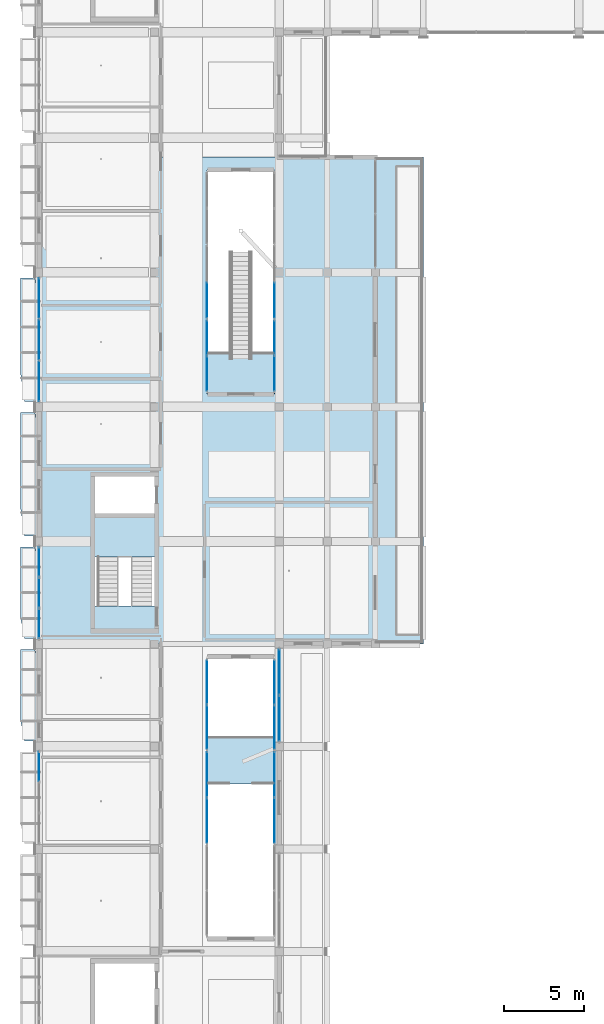
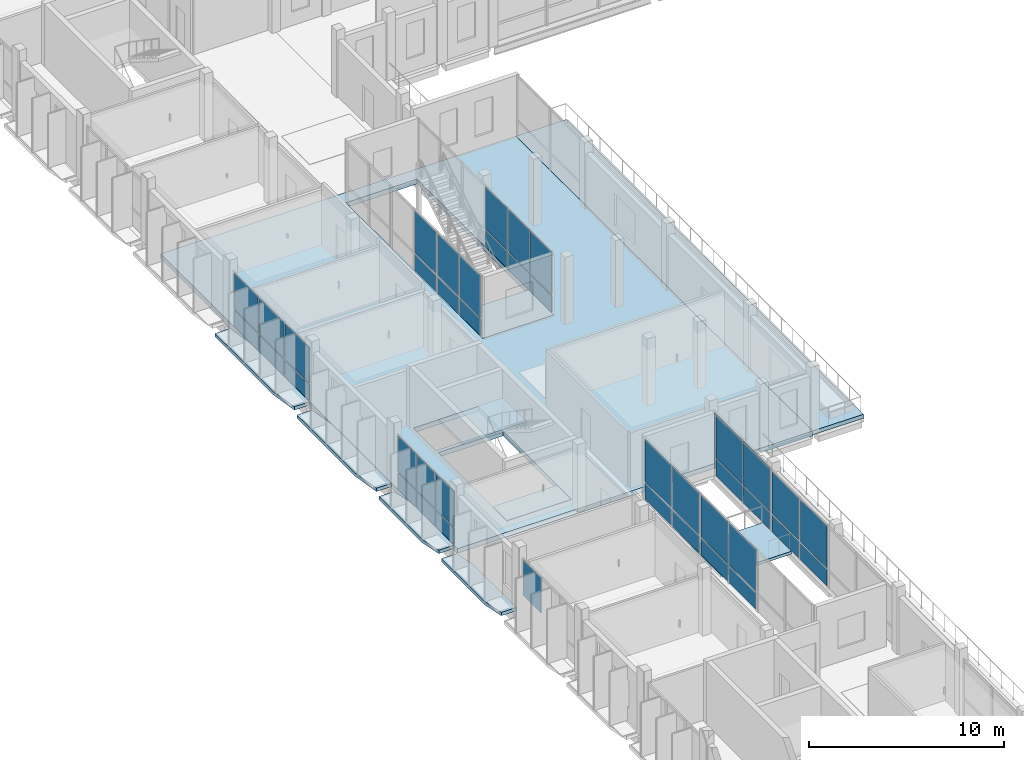
# One storey, part 30 of 85: 45 plates, 10 slabs, 13 elements without a shape of their own.
"""IFC4 building model written with IfcOpenShell, lengths in metres."""

from ifc_helpers import new_model, si_unit, derived_unit, direction, frame, origin, origin_2d, place, context, subcontext, project, spatial, polyline, rectangle, outline, extrude, material, layer, layer_set, type_object, element, aggregate, save


model = new_model("IFC4")

# Units and contexts
model_context = context("Model", 3, precision=1e-05, world=origin(), true_north=direction((0.0, 1.0)))
body_context = subcontext(model_context, "Body", "Model", "MODEL_VIEW")
ifc_project = project(units=[si_unit("LENGTHUNIT", "METRE"), si_unit("AREAUNIT", "SQUARE_METRE"), si_unit("VOLUMEUNIT", "CUBIC_METRE"), si_unit("PLANEANGLEUNIT", "RADIAN"), si_unit("MASSUNIT", "GRAM", prefix="KILO"), derived_unit("THERMALTRANSMITTANCEUNIT", [(si_unit("POWERUNIT", "WATT"), 1), (si_unit("LENGTHUNIT", "METRE"), -2), (si_unit("THERMODYNAMICTEMPERATUREUNIT", "KELVIN"), -1)])], contexts=[model_context])

# Site, building, storey
site_placement = place(None, origin())
site = spatial("IfcSite", under=ifc_project, at=site_placement, CompositionType="ELEMENT")
building_placement = place(site_placement, origin())
building = spatial("IfcBuilding", under=site, at=building_placement, Name="Braskholm Square Health Centre", CompositionType="ELEMENT")
storey_placement = place(building_placement, frame((0.0, 0.0, 9.300048828125)))
storey = spatial("IfcBuildingStorey", under=building, at=storey_placement, Name="L03", CompositionType="ELEMENT", Elevation=9.300048828125)

# Curtain wall, plates
ifc_material_1 = material(Name="Low-E triple insulating glass (VLT 0.64)", Category="glass")
curtain_wall_type_1 = type_object("IfcCurtainWallType", Name="UnitisedCurtainWall6200x3650", PredefinedType="NOTDEFINED", material=ifc_material_1)
curtain_wall_1_placement = place(storey_placement, origin())
curtain_wall_1 = element("IfcCurtainWall", 1, at=curtain_wall_1_placement, inside=storey, type_object=curtain_wall_type_1, Name="West Outer unitised curtain wall CW-L03-0017", PredefinedType="NOTDEFINED")
ifc_material_2 = material(Name="Architectural bronze anodised aluminium", Category="aluminium")
plate_type_1 = type_object("IfcPlateType", Name="CurtainPanelSpandrel1850x1020", PredefinedType="CURTAIN_PANEL", material=ifc_material_2)
plate_1_placement = place(storey_placement, frame((4.199951171875, 54.139892578125, 0.050048828125), z_axis=(0.0, 0.0, 1.0), x_axis=(0.0, -1.0, 0.0)))
plate_1 = element("IfcPlate", 2, at=plate_1_placement, type_object=plate_type_1, Name="CW-L03-0017 spandrel panel 1", PredefinedType="CURTAIN_PANEL", context=body_context, shape_type="SweptSolid", body=[
    extrude(rectangle(XDim=1.823486328125, YDim=0.035888671875, at=origin_2d()), origin(), (0.0, 0.0, 1.0), 1.02001953125),
])
plate_2_placement = place(storey_placement, frame((4.199951171875, 52.199951171875, 0.050048828125), z_axis=(0.0, 0.0, 1.0), x_axis=(0.0, -1.0, 0.0)))
plate_2 = element("IfcPlate", 3, at=plate_2_placement, type_object=plate_type_1, Name="CW-L03-0017 spandrel panel 2", PredefinedType="CURTAIN_PANEL", context=body_context, shape_type="SweptSolid", body=[
    extrude(rectangle(XDim=1.823486328125, YDim=0.035888671875, at=origin_2d()), origin(), (0.0, 0.0, 1.0), 1.02001953125),
])
plate_3_placement = place(storey_placement, frame((4.199951171875, 50.260009765625, 0.050048828125), z_axis=(0.0, 0.0, 1.0), x_axis=(0.0, -1.0, 0.0)))
plate_3 = element("IfcPlate", 4, at=plate_3_placement, type_object=plate_type_1, Name="CW-L03-0017 spandrel panel 3", PredefinedType="CURTAIN_PANEL", context=body_context, shape_type="SweptSolid", body=[
    extrude(rectangle(XDim=1.823486328125, YDim=0.035888671875, at=origin_2d()), origin(), (0.0, 0.0, 1.0), 1.02001953125),
])

curtain_wall_type_2 = type_object("IfcCurtainWallType", Name="UnitisedCurtainWall4800x3800", PredefinedType="NOTDEFINED", material=ifc_material_1)
curtain_wall_2_placement = place(storey_placement, origin())
curtain_wall_2 = element("IfcCurtainWall", 5, at=curtain_wall_2_placement, inside=storey, type_object=curtain_wall_type_2, Name="WC2 Court W unitised curtain wall CW-L03-0297", PredefinedType="NOTDEFINED")
plate_type_2 = type_object("IfcPlateType", Name="CurtainPanelSpandrel2150x1020", PredefinedType="CURTAIN_PANEL", material=ifc_material_2)
plate_4_placement = place(storey_placement, frame((14.699951171875, 65.884033203125, 0.050048828125), z_axis=(0.0, 0.0, 1.0), x_axis=(0.0, 1.0, 0.0)))
plate_4 = element("IfcPlate", 6, at=plate_4_placement, type_object=plate_type_2, Name="CW-L03-0297 spandrel panel 1", PredefinedType="CURTAIN_PANEL", context=body_context, shape_type="SweptSolid", body=[
    extrude(rectangle(XDim=2.125244140625, YDim=0.035888671875, at=origin_2d()), origin(), (0.0, 0.0, 1.0), 1.02001953125),
])
plate_5_placement = place(storey_placement, frame((14.699951171875, 68.117919921875, 0.050048828125), z_axis=(0.0, 0.0, 1.0), x_axis=(0.0, 1.0, 0.0)))
plate_5 = element("IfcPlate", 7, at=plate_5_placement, type_object=plate_type_2, Name="CW-L03-0297 spandrel panel 2", PredefinedType="CURTAIN_PANEL", context=body_context, shape_type="SweptSolid", body=[
    extrude(rectangle(XDim=2.125244140625, YDim=0.035888671875, at=origin_2d()), origin(), (0.0, 0.0, 1.0), 1.02001953125),
])

curtain_wall_3_placement = place(storey_placement, origin())
curtain_wall_3 = element("IfcCurtainWall", 8, at=curtain_wall_3_placement, inside=storey, type_object=curtain_wall_type_2, Name="WC2 Court E unitised curtain wall CW-L03-0298", PredefinedType="NOTDEFINED")
plate_6_placement = place(storey_placement, frame((18.89990234375, 68.117919921875, 0.050048828125), z_axis=(0.0, 0.0, 1.0), x_axis=(0.0, -1.0, 0.0)))
plate_6 = element("IfcPlate", 9, at=plate_6_placement, type_object=plate_type_2, Name="CW-L03-0298 spandrel panel 1", PredefinedType="CURTAIN_PANEL", context=body_context, shape_type="SweptSolid", body=[
    extrude(rectangle(XDim=2.125244140625, YDim=0.035888671875, at=origin_2d()), origin(), (0.0, 0.0, 1.0), 1.02001953125),
])
plate_7_placement = place(storey_placement, frame((18.89990234375, 65.884033203125, 0.050048828125), z_axis=(0.0, 0.0, 1.0), x_axis=(0.0, -1.0, 0.0)))
plate_7 = element("IfcPlate", 10, at=plate_7_placement, type_object=plate_type_2, Name="CW-L03-0298 spandrel panel 2", PredefinedType="CURTAIN_PANEL", context=body_context, shape_type="SweptSolid", body=[
    extrude(rectangle(XDim=2.125244140625, YDim=0.035888671875, at=origin_2d()), origin(), (0.0, 0.0, 1.0), 1.02001953125),
])

# Curtain wall, plate
curtain_wall_4_placement = place(storey_placement, origin())
curtain_wall_4 = element("IfcCurtainWall", 11, at=curtain_wall_4_placement, inside=storey, type_object=curtain_wall_type_2, Name="WC2 Court W unitised curtain wall CW-L03-0299", PredefinedType="NOTDEFINED")
plate_8_placement = place(storey_placement, frame((14.699951171875, 70.449951171875, 0.050048828125), z_axis=(0.0, 0.0, 1.0), x_axis=(0.0, 1.0, 0.0)))
plate_8 = element("IfcPlate", 12, at=plate_8_placement, type_object=plate_type_2, Name="CW-L03-0299 spandrel panel 1", PredefinedType="CURTAIN_PANEL", context=body_context, shape_type="SweptSolid", body=[
    extrude(rectangle(XDim=2.188232421875, YDim=0.035888671875, at=origin_2d()), origin(), (0.0, 0.0, 1.0), 1.02001953125),
])

curtain_wall_5_placement = place(storey_placement, origin())
curtain_wall_5 = element("IfcCurtainWall", 13, at=curtain_wall_5_placement, inside=storey, type_object=curtain_wall_type_2, Name="WC2 Court E unitised curtain wall CW-L03-0300", PredefinedType="NOTDEFINED")
plate_9_placement = place(storey_placement, frame((18.89990234375, 70.449951171875, 0.050048828125), z_axis=(0.0, 0.0, 1.0), x_axis=(0.0, -1.0, 0.0)))
plate_9 = element("IfcPlate", 14, at=plate_9_placement, type_object=plate_type_2, Name="CW-L03-0300 spandrel panel 2", PredefinedType="CURTAIN_PANEL", context=body_context, shape_type="SweptSolid", body=[
    extrude(rectangle(XDim=2.188232421875, YDim=0.035888671875, at=origin_2d()), origin(), (0.0, 0.0, 1.0), 1.02001953125),
])

# Curtain wall, plates
curtain_wall_6_placement = place(storey_placement, origin())
curtain_wall_6 = element("IfcCurtainWall", 15, at=curtain_wall_6_placement, inside=storey, type_object=curtain_wall_type_1, Name="West Outer unitised curtain wall CW-L03-0018", PredefinedType="NOTDEFINED")
plate_type_3 = type_object("IfcPlateType", Name="CurtainPanelSpandrel2750x1020", PredefinedType="CURTAIN_PANEL", material=ifc_material_2)
plate_10_placement = place(storey_placement, frame((4.199951171875, 70.606689453125, 0.050048828125), z_axis=(0.0, 0.0, 1.0), x_axis=(0.0, -1.0, 0.0)))
plate_10 = element("IfcPlate", 16, at=plate_10_placement, type_object=plate_type_3, Name="CW-L03-0018 spandrel panel 1", PredefinedType="CURTAIN_PANEL", context=body_context, shape_type="SweptSolid", body=[
    extrude(rectangle(XDim=2.4501953125, YDim=0.035888671875, at=origin_2d()), origin(), (0.0, 0.0, 1.0), 1.02001953125),
])
plate_11_placement = place(storey_placement, frame((4.199951171875, 68.0, 0.050048828125), z_axis=(0.0, 0.0, 1.0), x_axis=(0.0, -1.0, 0.0)))
plate_11 = element("IfcPlate", 17, at=plate_11_placement, type_object=plate_type_3, Name="CW-L03-0018 spandrel panel 2", PredefinedType="CURTAIN_PANEL", context=body_context, shape_type="SweptSolid", body=[
    extrude(rectangle(XDim=2.4501953125, YDim=0.035888671875, at=origin_2d()), origin(), (0.0, 0.0, 1.0), 1.02001953125),
])
plate_12_placement = place(storey_placement, frame((4.199951171875, 65.393310546875, 0.050048828125), z_axis=(0.0, 0.0, 1.0), x_axis=(0.0, -1.0, 0.0)))
plate_12 = element("IfcPlate", 18, at=plate_12_placement, type_object=plate_type_3, Name="CW-L03-0018 spandrel panel 3", PredefinedType="CURTAIN_PANEL", context=body_context, shape_type="SweptSolid", body=[
    extrude(rectangle(XDim=2.4501953125, YDim=0.035888671875, at=origin_2d()), origin(), (0.0, 0.0, 1.0), 1.02001953125),
])

curtain_wall_7_placement = place(storey_placement, origin())
curtain_wall_7 = element("IfcCurtainWall", 19, at=curtain_wall_7_placement, inside=storey, type_object=curtain_wall_type_1, Name="West Valley unitised curtain wall CW-L03-0093", PredefinedType="NOTDEFINED")
plate_13_placement = place(storey_placement, frame((19.199951171875, 44.34765625, 0.050048828125), z_axis=(0.0, 0.0, 1.0), x_axis=(0.0, 1.0, 0.0)))
plate_13 = element("IfcPlate", 20, at=plate_13_placement, type_object=plate_type_3, Name="CW-L03-0093 spandrel panel 1", PredefinedType="CURTAIN_PANEL", context=body_context, shape_type="SweptSolid", body=[
    extrude(rectangle(XDim=2.763671875, YDim=0.035888671875, at=origin_2d()), origin(), (0.0, 0.0, 1.0), 1.02001953125),
])
plate_14_placement = place(storey_placement, frame((19.199951171875, 47.25244140625, 0.050048828125), z_axis=(0.0, 0.0, 1.0), x_axis=(0.0, 1.0, 0.0)))
plate_14 = element("IfcPlate", 21, at=plate_14_placement, type_object=plate_type_3, Name="CW-L03-0093 spandrel panel 2", PredefinedType="CURTAIN_PANEL", context=body_context, shape_type="SweptSolid", body=[
    extrude(rectangle(XDim=2.763671875, YDim=0.035888671875, at=origin_2d()), origin(), (0.0, 0.0, 1.0), 1.02001953125),
])

curtain_wall_type_3 = type_object("IfcCurtainWallType", Name="UnitisedCurtainWall6200x3800", PredefinedType="NOTDEFINED", material=ifc_material_1)
curtain_wall_8_placement = place(storey_placement, origin())
curtain_wall_8 = element("IfcCurtainWall", 22, at=curtain_wall_8_placement, inside=storey, type_object=curtain_wall_type_3, Name="WC1 Court W unitised curtain wall CW-L03-0263", PredefinedType="NOTDEFINED")
plate_15_placement = place(storey_placement, frame((14.699951171875, 37.95361328125, 0.050048828125), z_axis=(0.0, 0.0, 1.0), x_axis=(0.0, 1.0, 0.0)))
plate_15 = element("IfcPlate", 23, at=plate_15_placement, type_object=plate_type_3, Name="CW-L03-0263 spandrel panel 1", PredefinedType="CURTAIN_PANEL", context=body_context, shape_type="SweptSolid", body=[
    extrude(rectangle(XDim=2.752197265625, YDim=0.035888671875, at=origin_2d()), origin(), (0.0, 0.0, 1.0), 1.02001953125),
])
plate_16_placement = place(storey_placement, frame((14.699951171875, 40.846435546875, 0.050048828125), z_axis=(0.0, 0.0, 1.0), x_axis=(0.0, 1.0, 0.0)))
plate_16 = element("IfcPlate", 24, at=plate_16_placement, type_object=plate_type_3, Name="CW-L03-0263 spandrel panel 2", PredefinedType="CURTAIN_PANEL", context=body_context, shape_type="SweptSolid", body=[
    extrude(rectangle(XDim=2.752197265625, YDim=0.035888671875, at=origin_2d()), origin(), (0.0, 0.0, 1.0), 1.02001953125),
])

curtain_wall_9_placement = place(storey_placement, origin())
curtain_wall_9 = element("IfcCurtainWall", 25, at=curtain_wall_9_placement, inside=storey, type_object=curtain_wall_type_3, Name="WC1 Court E unitised curtain wall CW-L03-0264", PredefinedType="NOTDEFINED")
plate_17_placement = place(storey_placement, frame((18.89990234375, 40.846435546875, 0.050048828125), z_axis=(0.0, 0.0, 1.0), x_axis=(0.0, -1.0, 0.0)))
plate_17 = element("IfcPlate", 26, at=plate_17_placement, type_object=plate_type_3, Name="CW-L03-0264 spandrel panel 1", PredefinedType="CURTAIN_PANEL", context=body_context, shape_type="SweptSolid", body=[
    extrude(rectangle(XDim=2.752197265625, YDim=0.035888671875, at=origin_2d()), origin(), (0.0, 0.0, 1.0), 1.02001953125),
])
plate_18_placement = place(storey_placement, frame((18.89990234375, 37.95361328125, 0.050048828125), z_axis=(0.0, 0.0, 1.0), x_axis=(0.0, -1.0, 0.0)))
plate_18 = element("IfcPlate", 27, at=plate_18_placement, type_object=plate_type_3, Name="CW-L03-0264 spandrel panel 2", PredefinedType="CURTAIN_PANEL", context=body_context, shape_type="SweptSolid", body=[
    extrude(rectangle(XDim=2.752197265625, YDim=0.035888671875, at=origin_2d()), origin(), (0.0, 0.0, 1.0), 1.02001953125),
])

curtain_wall_type_4 = type_object("IfcCurtainWallType", Name="UnitisedCurtainWall5400x3800", PredefinedType="NOTDEFINED", material=ifc_material_1)
curtain_wall_10_placement = place(storey_placement, origin())
curtain_wall_10 = element("IfcCurtainWall", 28, at=curtain_wall_10_placement, inside=storey, type_object=curtain_wall_type_4, Name="WC1 Court W unitised curtain wall CW-L03-0265", PredefinedType="NOTDEFINED")
plate_19_placement = place(storey_placement, frame((14.699951171875, 43.78564453125, 0.050048828125), z_axis=(0.0, 0.0, 1.0), x_axis=(0.0, 1.0, 0.0)))
plate_19 = element("IfcPlate", 29, at=plate_19_placement, type_object=plate_type_3, Name="CW-L03-0265 spandrel panel 1", PredefinedType="CURTAIN_PANEL", context=body_context, shape_type="SweptSolid", body=[
    extrude(rectangle(XDim=2.689208984375, YDim=0.035888671875, at=origin_2d()), origin(), (0.0, 0.0, 1.0), 1.02001953125),
])
plate_20_placement = place(storey_placement, frame((14.699951171875, 46.6123046875, 0.050048828125), z_axis=(0.0, 0.0, 1.0), x_axis=(0.0, 1.0, 0.0)))
plate_20 = element("IfcPlate", 30, at=plate_20_placement, type_object=plate_type_3, Name="CW-L03-0265 spandrel panel 2", PredefinedType="CURTAIN_PANEL", context=body_context, shape_type="SweptSolid", body=[
    extrude(rectangle(XDim=2.689208984375, YDim=0.035888671875, at=origin_2d()), origin(), (0.0, 0.0, 1.0), 1.02001953125),
])

curtain_wall_11_placement = place(storey_placement, origin())
curtain_wall_11 = element("IfcCurtainWall", 31, at=curtain_wall_11_placement, inside=storey, type_object=curtain_wall_type_4, Name="WC1 Court E unitised curtain wall CW-L03-0266", PredefinedType="NOTDEFINED")
plate_21_placement = place(storey_placement, frame((18.89990234375, 46.6123046875, 0.050048828125), z_axis=(0.0, 0.0, 1.0), x_axis=(0.0, -1.0, 0.0)))
plate_21 = element("IfcPlate", 32, at=plate_21_placement, type_object=plate_type_3, Name="CW-L03-0266 spandrel panel 1", PredefinedType="CURTAIN_PANEL", context=body_context, shape_type="SweptSolid", body=[
    extrude(rectangle(XDim=2.689208984375, YDim=0.035888671875, at=origin_2d()), origin(), (0.0, 0.0, 1.0), 1.02001953125),
])
plate_22_placement = place(storey_placement, frame((18.89990234375, 43.78564453125, 0.050048828125), z_axis=(0.0, 0.0, 1.0), x_axis=(0.0, -1.0, 0.0)))
plate_22 = element("IfcPlate", 33, at=plate_22_placement, type_object=plate_type_3, Name="CW-L03-0266 spandrel panel 2", PredefinedType="CURTAIN_PANEL", context=body_context, shape_type="SweptSolid", body=[
    extrude(rectangle(XDim=2.689208984375, YDim=0.035888671875, at=origin_2d()), origin(), (0.0, 0.0, 1.0), 1.02001953125),
])

# Curtain wall, plate
curtain_wall_12_placement = place(storey_placement, origin())
curtain_wall_12 = element("IfcCurtainWall", 34, at=curtain_wall_12_placement, inside=storey, type_object=curtain_wall_type_1, Name="West Outer unitised curtain wall CW-L03-0016", PredefinedType="NOTDEFINED")
plate_type_4 = type_object("IfcPlateType", Name="CurtainPanelVision1850x2120", PredefinedType="CURTAIN_PANEL", material=ifc_material_1)
plate_23_placement = place(storey_placement, frame((4.199951171875, 41.340087890625, 1.169921875), z_axis=(0.0, 0.0, 1.0), x_axis=(0.0, -1.0, 0.0)))
plate_23 = element("IfcPlate", 35, at=plate_23_placement, type_object=plate_type_4, Name="CW-L03-0016 vision glass panel 1", PredefinedType="CURTAIN_PANEL", context=body_context, shape_type="SweptSolid", body=[
    extrude(rectangle(XDim=1.823486328125, YDim=0.035888671875, at=origin_2d()), origin(), (0.0, 0.0, 1.0), 2.199951171875),
])
aggregate(curtain_wall_12, [plate_23])

# Plate
plate_24_placement = place(storey_placement, frame((4.199951171875, 54.139892578125, 1.169921875), z_axis=(0.0, 0.0, 1.0), x_axis=(0.0, -1.0, 0.0)))
plate_24 = element("IfcPlate", 36, at=plate_24_placement, type_object=plate_type_4, Name="CW-L03-0017 vision glass panel 1", PredefinedType="CURTAIN_PANEL", context=body_context, shape_type="SweptSolid", body=[
    extrude(rectangle(XDim=1.823486328125, YDim=0.035888671875, at=origin_2d()), origin(), (0.0, 0.0, 1.0), 2.199951171875),
])

plate_25_placement = place(storey_placement, frame((4.199951171875, 52.199951171875, 1.169921875), z_axis=(0.0, 0.0, 1.0), x_axis=(0.0, -1.0, 0.0)))
plate_25 = element("IfcPlate", 37, at=plate_25_placement, type_object=plate_type_4, Name="CW-L03-0017 vision glass panel 2", PredefinedType="CURTAIN_PANEL", context=body_context, shape_type="SweptSolid", body=[
    extrude(rectangle(XDim=1.823486328125, YDim=0.035888671875, at=origin_2d()), origin(), (0.0, 0.0, 1.0), 2.199951171875),
])

plate_26_placement = place(storey_placement, frame((4.199951171875, 50.260009765625, 1.169921875), z_axis=(0.0, 0.0, 1.0), x_axis=(0.0, -1.0, 0.0)))
plate_26 = element("IfcPlate", 38, at=plate_26_placement, type_object=plate_type_4, Name="CW-L03-0017 vision glass panel 3", PredefinedType="CURTAIN_PANEL", context=body_context, shape_type="SweptSolid", body=[
    extrude(rectangle(XDim=1.823486328125, YDim=0.035888671875, at=origin_2d()), origin(), (0.0, 0.0, 1.0), 2.199951171875),
])

aggregate(curtain_wall_1, [plate_1, plate_24, plate_2, plate_25, plate_3, plate_26])

plate_type_5 = type_object("IfcPlateType", Name="CurtainPanelVision2150x2520", PredefinedType="CURTAIN_PANEL", material=ifc_material_1)
plate_27_placement = place(storey_placement, frame((14.699951171875, 65.884033203125, 1.169921875), z_axis=(0.0, 0.0, 1.0), x_axis=(0.0, 1.0, 0.0)))
plate_27 = element("IfcPlate", 39, at=plate_27_placement, type_object=plate_type_5, Name="CW-L03-0297 vision glass panel 1", PredefinedType="CURTAIN_PANEL", context=body_context, shape_type="SweptSolid", body=[
    extrude(rectangle(XDim=2.125244140625, YDim=0.035888671875, at=origin_2d()), origin(), (0.0, 0.0, 1.0), 2.6201171875),
])

plate_28_placement = place(storey_placement, frame((14.699951171875, 68.117919921875, 1.169921875), z_axis=(0.0, 0.0, 1.0), x_axis=(0.0, 1.0, 0.0)))
plate_28 = element("IfcPlate", 40, at=plate_28_placement, type_object=plate_type_5, Name="CW-L03-0297 vision glass panel 2", PredefinedType="CURTAIN_PANEL", context=body_context, shape_type="SweptSolid", body=[
    extrude(rectangle(XDim=2.125244140625, YDim=0.035888671875, at=origin_2d()), origin(), (0.0, 0.0, 1.0), 2.6201171875),
])

aggregate(curtain_wall_2, [plate_4, plate_27, plate_5, plate_28])

plate_29_placement = place(storey_placement, frame((18.89990234375, 68.117919921875, 1.169921875), z_axis=(0.0, 0.0, 1.0), x_axis=(0.0, -1.0, 0.0)))
plate_29 = element("IfcPlate", 41, at=plate_29_placement, type_object=plate_type_5, Name="CW-L03-0298 vision glass panel 1", PredefinedType="CURTAIN_PANEL", context=body_context, shape_type="SweptSolid", body=[
    extrude(rectangle(XDim=2.125244140625, YDim=0.035888671875, at=origin_2d()), origin(), (0.0, 0.0, 1.0), 2.6201171875),
])

plate_30_placement = place(storey_placement, frame((18.89990234375, 65.884033203125, 1.169921875), z_axis=(0.0, 0.0, 1.0), x_axis=(0.0, -1.0, 0.0)))
plate_30 = element("IfcPlate", 42, at=plate_30_placement, type_object=plate_type_5, Name="CW-L03-0298 vision glass panel 2", PredefinedType="CURTAIN_PANEL", context=body_context, shape_type="SweptSolid", body=[
    extrude(rectangle(XDim=2.125244140625, YDim=0.035888671875, at=origin_2d()), origin(), (0.0, 0.0, 1.0), 2.6201171875),
])

aggregate(curtain_wall_3, [plate_6, plate_29, plate_7, plate_30])

plate_31_placement = place(storey_placement, frame((14.699951171875, 70.449951171875, 1.169921875), z_axis=(0.0, 0.0, 1.0), x_axis=(0.0, 1.0, 0.0)))
plate_31 = element("IfcPlate", 43, at=plate_31_placement, type_object=plate_type_5, Name="CW-L03-0299 vision glass panel 1", PredefinedType="CURTAIN_PANEL", context=body_context, shape_type="SweptSolid", body=[
    extrude(rectangle(XDim=2.188232421875, YDim=0.035888671875, at=origin_2d()), origin(), (0.0, 0.0, 1.0), 2.6201171875),
])

aggregate(curtain_wall_4, [plate_8, plate_31])

plate_32_placement = place(storey_placement, frame((18.89990234375, 70.449951171875, 1.169921875), z_axis=(0.0, 0.0, 1.0), x_axis=(0.0, -1.0, 0.0)))
plate_32 = element("IfcPlate", 44, at=plate_32_placement, type_object=plate_type_5, Name="CW-L03-0300 vision glass panel 2", PredefinedType="CURTAIN_PANEL", context=body_context, shape_type="SweptSolid", body=[
    extrude(rectangle(XDim=2.188232421875, YDim=0.035888671875, at=origin_2d()), origin(), (0.0, 0.0, 1.0), 2.6201171875),
])

aggregate(curtain_wall_5, [plate_9, plate_32])

plate_type_6 = type_object("IfcPlateType", Name="CurtainPanelVision2750x2120", PredefinedType="CURTAIN_PANEL", material=ifc_material_1)
plate_33_placement = place(storey_placement, frame((4.199951171875, 70.606689453125, 1.169921875), z_axis=(0.0, 0.0, 1.0), x_axis=(0.0, -1.0, 0.0)))
plate_33 = element("IfcPlate", 45, at=plate_33_placement, type_object=plate_type_6, Name="CW-L03-0018 vision glass panel 1", PredefinedType="CURTAIN_PANEL", context=body_context, shape_type="SweptSolid", body=[
    extrude(rectangle(XDim=2.4501953125, YDim=0.035888671875, at=origin_2d()), origin(), (0.0, 0.0, 1.0), 2.199951171875),
])

plate_34_placement = place(storey_placement, frame((4.199951171875, 68.0, 1.169921875), z_axis=(0.0, 0.0, 1.0), x_axis=(0.0, -1.0, 0.0)))
plate_34 = element("IfcPlate", 46, at=plate_34_placement, type_object=plate_type_6, Name="CW-L03-0018 vision glass panel 2", PredefinedType="CURTAIN_PANEL", context=body_context, shape_type="SweptSolid", body=[
    extrude(rectangle(XDim=2.4501953125, YDim=0.035888671875, at=origin_2d()), origin(), (0.0, 0.0, 1.0), 2.199951171875),
])

plate_35_placement = place(storey_placement, frame((4.199951171875, 65.393310546875, 1.169921875), z_axis=(0.0, 0.0, 1.0), x_axis=(0.0, -1.0, 0.0)))
plate_35 = element("IfcPlate", 47, at=plate_35_placement, type_object=plate_type_6, Name="CW-L03-0018 vision glass panel 3", PredefinedType="CURTAIN_PANEL", context=body_context, shape_type="SweptSolid", body=[
    extrude(rectangle(XDim=2.4501953125, YDim=0.035888671875, at=origin_2d()), origin(), (0.0, 0.0, 1.0), 2.199951171875),
])

aggregate(curtain_wall_6, [plate_10, plate_33, plate_11, plate_34, plate_12, plate_35])

plate_36_placement = place(storey_placement, frame((19.199951171875, 44.34765625, 1.169921875), z_axis=(0.0, 0.0, 1.0), x_axis=(0.0, 1.0, 0.0)))
plate_36 = element("IfcPlate", 48, at=plate_36_placement, type_object=plate_type_6, Name="CW-L03-0093 vision glass panel 1", PredefinedType="CURTAIN_PANEL", context=body_context, shape_type="SweptSolid", body=[
    extrude(rectangle(XDim=2.763671875, YDim=0.035888671875, at=origin_2d()), origin(), (0.0, 0.0, 1.0), 2.2900390625),
])

plate_37_placement = place(storey_placement, frame((19.199951171875, 47.25244140625, 1.169921875), z_axis=(0.0, 0.0, 1.0), x_axis=(0.0, 1.0, 0.0)))
plate_37 = element("IfcPlate", 49, at=plate_37_placement, type_object=plate_type_6, Name="CW-L03-0093 vision glass panel 2", PredefinedType="CURTAIN_PANEL", context=body_context, shape_type="SweptSolid", body=[
    extrude(rectangle(XDim=2.763671875, YDim=0.035888671875, at=origin_2d()), origin(), (0.0, 0.0, 1.0), 2.2900390625),
])

aggregate(curtain_wall_7, [plate_13, plate_36, plate_14, plate_37])

plate_type_7 = type_object("IfcPlateType", Name="CurtainPanelVision2750x2520", PredefinedType="CURTAIN_PANEL", material=ifc_material_1)
plate_38_placement = place(storey_placement, frame((14.699951171875, 37.95361328125, 1.169921875), z_axis=(0.0, 0.0, 1.0), x_axis=(0.0, 1.0, 0.0)))
plate_38 = element("IfcPlate", 50, at=plate_38_placement, type_object=plate_type_7, Name="CW-L03-0263 vision glass panel 1", PredefinedType="CURTAIN_PANEL", context=body_context, shape_type="SweptSolid", body=[
    extrude(rectangle(XDim=2.752197265625, YDim=0.035888671875, at=origin_2d()), origin(), (0.0, 0.0, 1.0), 2.6201171875),
])

plate_39_placement = place(storey_placement, frame((14.699951171875, 40.846435546875, 1.169921875), z_axis=(0.0, 0.0, 1.0), x_axis=(0.0, 1.0, 0.0)))
plate_39 = element("IfcPlate", 51, at=plate_39_placement, type_object=plate_type_7, Name="CW-L03-0263 vision glass panel 2", PredefinedType="CURTAIN_PANEL", context=body_context, shape_type="SweptSolid", body=[
    extrude(rectangle(XDim=2.752197265625, YDim=0.035888671875, at=origin_2d()), origin(), (0.0, 0.0, 1.0), 2.6201171875),
])

aggregate(curtain_wall_8, [plate_15, plate_38, plate_16, plate_39])

plate_40_placement = place(storey_placement, frame((18.89990234375, 40.846435546875, 1.169921875), z_axis=(0.0, 0.0, 1.0), x_axis=(0.0, -1.0, 0.0)))
plate_40 = element("IfcPlate", 52, at=plate_40_placement, type_object=plate_type_7, Name="CW-L03-0264 vision glass panel 1", PredefinedType="CURTAIN_PANEL", context=body_context, shape_type="SweptSolid", body=[
    extrude(rectangle(XDim=2.752197265625, YDim=0.035888671875, at=origin_2d()), origin(), (0.0, 0.0, 1.0), 2.6201171875),
])

plate_41_placement = place(storey_placement, frame((18.89990234375, 37.95361328125, 1.169921875), z_axis=(0.0, 0.0, 1.0), x_axis=(0.0, -1.0, 0.0)))
plate_41 = element("IfcPlate", 53, at=plate_41_placement, type_object=plate_type_7, Name="CW-L03-0264 vision glass panel 2", PredefinedType="CURTAIN_PANEL", context=body_context, shape_type="SweptSolid", body=[
    extrude(rectangle(XDim=2.752197265625, YDim=0.035888671875, at=origin_2d()), origin(), (0.0, 0.0, 1.0), 2.6201171875),
])

aggregate(curtain_wall_9, [plate_17, plate_40, plate_18, plate_41])

plate_42_placement = place(storey_placement, frame((14.699951171875, 43.78564453125, 1.169921875), z_axis=(0.0, 0.0, 1.0), x_axis=(0.0, 1.0, 0.0)))
plate_42 = element("IfcPlate", 54, at=plate_42_placement, type_object=plate_type_7, Name="CW-L03-0265 vision glass panel 1", PredefinedType="CURTAIN_PANEL", context=body_context, shape_type="SweptSolid", body=[
    extrude(rectangle(XDim=2.689208984375, YDim=0.035888671875, at=origin_2d()), origin(), (0.0, 0.0, 1.0), 2.6201171875),
])

plate_43_placement = place(storey_placement, frame((14.699951171875, 46.6123046875, 1.169921875), z_axis=(0.0, 0.0, 1.0), x_axis=(0.0, 1.0, 0.0)))
plate_43 = element("IfcPlate", 55, at=plate_43_placement, type_object=plate_type_7, Name="CW-L03-0265 vision glass panel 2", PredefinedType="CURTAIN_PANEL", context=body_context, shape_type="SweptSolid", body=[
    extrude(rectangle(XDim=2.689208984375, YDim=0.035888671875, at=origin_2d()), origin(), (0.0, 0.0, 1.0), 2.6201171875),
])

aggregate(curtain_wall_10, [plate_19, plate_42, plate_20, plate_43])

plate_44_placement = place(storey_placement, frame((18.89990234375, 46.6123046875, 1.169921875), z_axis=(0.0, 0.0, 1.0), x_axis=(0.0, -1.0, 0.0)))
plate_44 = element("IfcPlate", 56, at=plate_44_placement, type_object=plate_type_7, Name="CW-L03-0266 vision glass panel 1", PredefinedType="CURTAIN_PANEL", context=body_context, shape_type="SweptSolid", body=[
    extrude(rectangle(XDim=2.689208984375, YDim=0.035888671875, at=origin_2d()), origin(), (0.0, 0.0, 1.0), 2.6201171875),
])

plate_45_placement = place(storey_placement, frame((18.89990234375, 43.78564453125, 1.169921875), z_axis=(0.0, 0.0, 1.0), x_axis=(0.0, -1.0, 0.0)))
plate_45 = element("IfcPlate", 57, at=plate_45_placement, type_object=plate_type_7, Name="CW-L03-0266 vision glass panel 2", PredefinedType="CURTAIN_PANEL", context=body_context, shape_type="SweptSolid", body=[
    extrude(rectangle(XDim=2.689208984375, YDim=0.035888671875, at=origin_2d()), origin(), (0.0, 0.0, 1.0), 2.6201171875),
])

aggregate(curtain_wall_11, [plate_21, plate_44, plate_22, plate_45])

# Slabs
ifc_material_3 = material(Name="Precast concrete C40/50 architectural white", Category="concrete")
ifc_layer_1 = layer(ifc_material_3, 0.2099609375)
ifc_layer_set_1 = layer_set([ifc_layer_1], Name="Precast concrete C40/50 architectural white")
slab_type_1 = type_object("IfcSlabType", Name="PitchedAndCrownRoofSlab150", PredefinedType="ROOF", material=ifc_layer_set_1)
slab_1_placement = place(storey_placement, frame((0.0, 0.0, -0.2099609375)))
element("IfcSlab", 58, at=slab_1_placement, inside=storey, type_object=slab_type_1, Name="Level L03 West precast planter ledge 023", PredefinedType="ROOF", context=body_context, shape_type="SweptSolid", body=[
    extrude(outline(polyline([(3.302978515625, 42.949951171875), (4.199951171875, 42.949951171875), (4.199951171875, 47.39599609375), (3.947021484375, 48.64990234375), (3.050048828125, 48.64990234375), (3.050048828125, 44.2041015625), (3.302978515625, 42.949951171875)])), origin(), (0.0, 0.0, 1.0), 0.2099609375),
])
slab_2_placement = place(storey_placement, frame((0.0, 0.0, -0.2099609375)))
element("IfcSlab", 59, at=slab_2_placement, inside=storey, type_object=slab_type_1, Name="Level L03 West precast planter ledge 024", PredefinedType="ROOF", context=body_context, shape_type="SweptSolid", body=[
    extrude(outline(polyline([(3.302978515625, 49.35009765625), (4.199951171875, 49.35009765625), (4.199951171875, 53.7958984375), (3.947021484375, 55.050048828125), (3.050048828125, 55.050048828125), (3.050048828125, 50.60400390625), (3.302978515625, 49.35009765625)])), origin(), (0.0, 0.0, 1.0), 0.2099609375),
])
slab_3_placement = place(storey_placement, frame((0.0, 0.0, -0.2099609375)))
element("IfcSlab", 60, at=slab_3_placement, inside=storey, type_object=slab_type_1, Name="Level L03 West precast planter ledge 025", PredefinedType="ROOF", context=body_context, shape_type="SweptSolid", body=[
    extrude(outline(polyline([(3.302978515625, 55.75), (4.199951171875, 55.75), (4.199951171875, 61.756103515625), (3.947021484375, 63.449951171875), (3.050048828125, 63.449951171875), (3.050048828125, 57.444091796875), (3.302978515625, 55.75)])), origin(), (0.0, 0.0, 1.0), 0.2099609375),
])
slab_4_placement = place(storey_placement, frame((0.0, 0.0, -0.2099609375)))
element("IfcSlab", 61, at=slab_4_placement, inside=storey, type_object=slab_type_1, Name="Level L03 West precast planter ledge 026", PredefinedType="ROOF", context=body_context, shape_type="SweptSolid", body=[
    extrude(outline(polyline([(3.302978515625, 64.14990234375), (4.199951171875, 64.14990234375), (4.199951171875, 70.156005859375), (3.947021484375, 71.85009765625), (3.050048828125, 71.85009765625), (3.050048828125, 65.843994140625), (3.302978515625, 64.14990234375)])), origin(), (0.0, 0.0, 1.0), 0.2099609375),
])
ifc_material_4 = material(Name="Concrete C35/45 (f'c = 35 MPa)", Category="concrete")
ifc_layer_2 = layer(ifc_material_4, 0.25)
ifc_layer_set_2 = layer_set([ifc_layer_2], Name="Concrete C35/45 (f'c = 35 MPa)")
slab_type_2 = type_object("IfcSlabType", Name="PlantedTerraceRoofSlab250", PredefinedType="ROOF", material=ifc_layer_set_2)
slab_5_placement = place(storey_placement, frame((0.0, 0.0, -0.25)))
element("IfcSlab", 62, at=slab_5_placement, inside=storey, type_object=slab_type_2, Name="Level L03 West Green Valley Step 1 planted therapy terrace slab", PredefinedType="ROOF", context=body_context, shape_type="SweptSolid", body=[
    extrude(outline(polyline([(25.199951171875, 49.0), (28.199951171875, 49.0), (28.199951171875, 79.39990234375), (25.199951171875, 79.39990234375), (25.199951171875, 49.0)])), origin(), (0.0, 0.0, 1.0), 0.25),
])

# Stair, slabs
stair_type = type_object("IfcStairType", Name="ExitReturnStairL03", PredefinedType="HALF_TURN_STAIR", material=ifc_material_4)
stair_placement = place(storey_placement, origin())
stair = element("IfcStair", 63, at=stair_placement, inside=storey, type_object=stair_type, Name="Enclosed exit stair ST-02 L03 to L04", PredefinedType="HALF_TURN_STAIR")
ifc_layer_3 = layer(ifc_material_4, 0.179931640625)
ifc_layer_set_3 = layer_set([ifc_layer_3], Name="Concrete C35/45 (f'c = 35 MPa)")
slab_type_3 = type_object("IfcSlabType", Name="StairLandingSlab180", PredefinedType="LANDING", material=ifc_layer_set_3)
slab_6_placement = place(storey_placement, frame((0.0, 0.0, 1.919921875)))
slab_6 = element("IfcSlab", 64, at=slab_6_placement, type_object=slab_type_3, Name="Stair ST-02 half-landing L03", PredefinedType="LANDING", context=body_context, shape_type="SweptSolid", body=[
    extrude(outline(polyline([(7.64990234375, 54.43994140625), (11.449951171875, 54.43994140625), (11.449951171875, 56.89990234375), (7.64990234375, 56.89990234375), (7.64990234375, 54.43994140625)])), origin(), (0.0, 0.0, 1.0), 0.179931640625),
])
slab_7_placement = place(storey_placement, frame((0.0, 0.0, -0.179931640625)))
slab_7 = element("IfcSlab", 65, at=slab_7_placement, type_object=slab_type_3, Name="Stair ST-02 floor landing L03", PredefinedType="LANDING", context=body_context, shape_type="SweptSolid", body=[
    extrude(outline(polyline([(7.64990234375, 49.89990234375), (11.449951171875, 49.89990234375), (11.449951171875, 51.360107421875), (7.64990234375, 51.360107421875), (7.64990234375, 49.89990234375)])), origin(), (0.0, 0.0, 1.0), 0.179931640625),
])
aggregate(stair, [slab_6, slab_7])

# Slabs
slab_8_placement = place(storey_placement, frame((0.0, 0.0, -0.179931640625)))
element("IfcSlab", 66, at=slab_8_placement, inside=storey, type_object=slab_type_3, Name="Atrium feature stair landing SLAB-LND-COURT-W1", PredefinedType="LANDING", context=body_context, shape_type="SweptSolid", body=[
    extrude(outline(polyline([(14.699951171875, 40.25), (18.89990234375, 40.25), (18.89990234375, 43.199951171875), (14.699951171875, 43.199951171875), (14.699951171875, 40.25)])), origin(), (0.0, 0.0, 1.0), 0.179931640625),
])
slab_9_placement = place(storey_placement, frame((0.0, 0.0, -0.179931640625)))
element("IfcSlab", 67, at=slab_9_placement, inside=storey, type_object=slab_type_3, Name="Atrium feature stair landing SLAB-BASE-COURT-W2", PredefinedType="LANDING", context=body_context, shape_type="SweptSolid", body=[
    extrude(outline(polyline([(14.699951171875, 64.60009765625), (18.89990234375, 64.60009765625), (18.89990234375, 67.199951171875), (14.699951171875, 67.199951171875), (14.699951171875, 64.60009765625)])), origin(), (0.0, 0.0, 1.0), 0.179931640625),
])
ifc_layer_4 = layer(ifc_material_4, 0.300048828125)
ifc_layer_set_4 = layer_set([ifc_layer_4], Name="Concrete C35/45 (f'c = 35 MPa)")
slab_type_4 = type_object("IfcSlabType", Name="TwoWayClinicalFlatSlab300", PredefinedType="FLOOR", material=ifc_layer_set_4)
slab_10_placement = place(storey_placement, frame((0.0, 0.0, -0.300048828125)))
element("IfcSlab", 68, at=slab_10_placement, inside=storey, type_object=slab_type_4, Name="Level L03 V4W West consulting and dental wing slab", PredefinedType="FLOOR", context=body_context, shape_type="SweptSolid", body=[
    extrude(outline(polyline([(4.199951171875, 49.0), (25.199951171875, 49.0), (25.199951171875, 79.39990234375), (4.199951171875, 79.39990234375), (4.199951171875, 49.0)]), holes=[polyline([(7.6298828125, 49.8798828125), (11.469970703125, 49.8798828125), (11.469970703125, 56.919921875), (7.6298828125, 56.919921875), (7.6298828125, 49.8798828125)]), polyline([(7.6298828125, 57.14990234375), (11.469970703125, 57.14990234375), (11.469970703125, 59.449951171875), (7.6298828125, 59.449951171875), (7.6298828125, 57.14990234375)]), polyline([(14.699951171875, 64.60009765625), (18.89990234375, 64.60009765625), (18.89990234375, 78.60009765625), (14.699951171875, 78.60009765625), (14.699951171875, 64.60009765625)])]), origin(), (0.0, 0.0, 1.0), 0.300048828125),
])

save(model, "model.ifc")
